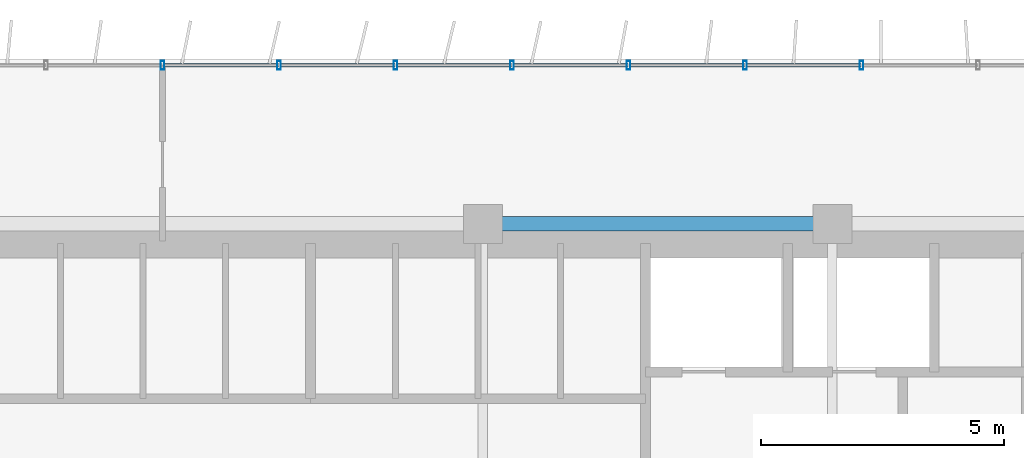
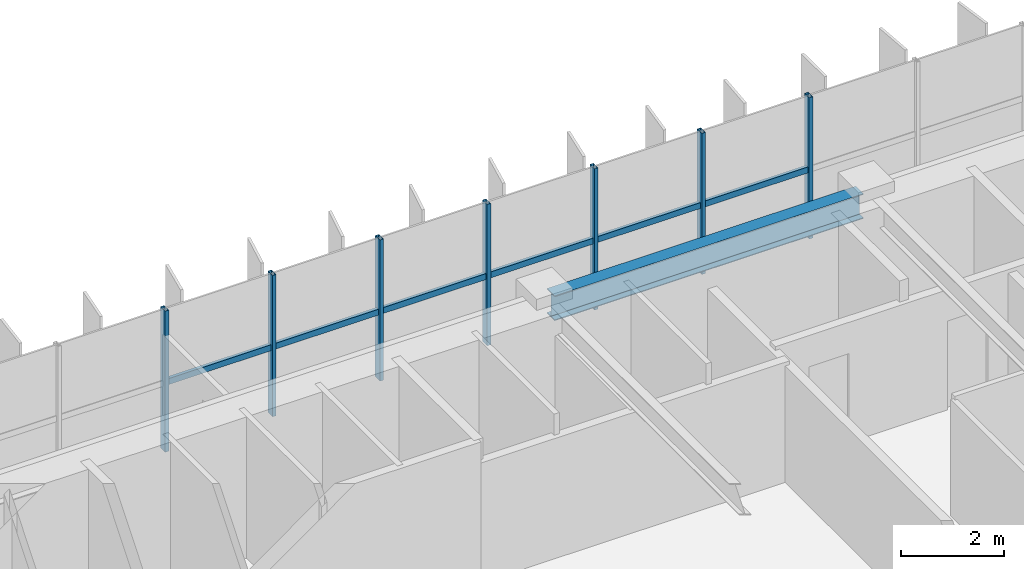
# One storey, part 9 of 22: 13 members, 1 beam, 1 element without a shape of its own.
"""IFC4 building model written with IfcOpenShell, lengths in metres."""

from ifc_helpers import new_model, si_unit, direction, frame, origin, origin_2d, place, context, subcontext, project, spatial, hollow_rectangle, i_section, extrude, source, transform, mapped, material, material_profile, profile_set, type_object, element, aggregate, save


model = new_model("IFC4")

# Units and contexts
model_context = context("Model", 3, precision=1e-05, world=origin(), true_north=direction((0.0, 1.0)))
body_context = subcontext(model_context, "Body", "Model", "MODEL_VIEW")
ifc_project = project(units=[si_unit("LENGTHUNIT", "METRE"), si_unit("AREAUNIT", "SQUARE_METRE"), si_unit("VOLUMEUNIT", "CUBIC_METRE"), si_unit("PLANEANGLEUNIT", "RADIAN"), si_unit("MASSUNIT", "GRAM", prefix="KILO")], contexts=[model_context])

# Site, building, storey
site_placement = place(None, origin())
site = spatial("IfcSite", under=ifc_project, at=site_placement, CompositionType="ELEMENT")
building_placement = place(site_placement, origin())
building = spatial("IfcBuilding", under=site, at=building_placement, Name="Trelvane Seafront Commons", CompositionType="ELEMENT")
storey_placement = place(building_placement, frame((0.0, 0.0, 92.5)))
storey = spatial("IfcBuildingStorey", under=building, at=storey_placement, Name="L23", CompositionType="ELEMENT", Elevation=92.5)

# Beam
ifc_material_1 = material(Name="Steel SM355 (S355)", Category="steel")
ifc_material_profile_1 = material_profile(ifc_material_1, i_section(OverallWidth=0.300048828125, OverallDepth=0.587890625, WebThickness=0.011962890625, FlangeThickness=0.02001953125, at=origin_2d()), Name="H-588x300x12x20")
ifc_profile_set_1 = profile_set([ifc_material_profile_1], Name="Steel SM355 (S355)")
beam_type = type_object("IfcBeamType", Name="STR-BM-H588", PredefinedType="BEAM", material=ifc_profile_set_1)
shared_shape_1 = source(origin(), body_context, "Body", "SweptSolid", [
    extrude(i_section(OverallWidth=0.300048828125, OverallDepth=0.587890625, WebThickness=0.011962890625, FlangeThickness=0.02001953125, at=origin_2d()), origin(), (0.0, 0.0, 1.0), 6.900146484375),
])
beam_placement = place(storey_placement, frame((43.949951171875, 45.10009765625, 3.0458984375), z_axis=(1.0, 0.0, 0.0), x_axis=(0.0, 1.0, 0.0)))
element("IfcBeam", 1, at=beam_placement, inside=storey, type_object=beam_type, Name="L23 Primary Girder G-33", PredefinedType="BEAM", context=body_context, shape_type="MappedRepresentation", body=[
    mapped(shared_shape_1, transform((0.0, 0.0, 0.0), x_axis=(1.0, 0.0, 0.0), y_axis=(0.0, 1.0, 0.0), z_axis=(0.0, 0.0, 1.0), scale=1.0)),
])

# Curtain wall, members
ifc_material_2 = material(Name="Anodised pale-silver aluminium", Category="aluminium")
curtain_wall_type = type_object("IfcCurtainWallType", Name="ARCH-CW4-SKYLOBBY", PredefinedType="NOTDEFINED", material=ifc_material_2)
curtain_wall_placement = place(storey_placement, origin())
curtain_wall = element("IfcCurtainWall", 2, at=curtain_wall_placement, inside=storey, type_object=curtain_wall_type, Name="CW-L23-0048", PredefinedType="NOTDEFINED")
ifc_material_profile_2 = material_profile(ifc_material_2, hollow_rectangle(XDim=0.074951171875, YDim=0.139892578125, WallThickness=0.00390625, at=origin_2d()), Name="TRAN-75x140x4")
ifc_profile_set_2 = profile_set([ifc_material_profile_2], Name="Anodised pale-silver aluminium")
member_type_1 = type_object("IfcMemberType", Name="ARCH-CW-TRAN-140", PredefinedType="USERDEFINED", material=ifc_profile_set_2)
shared_shape_2 = source(origin(), body_context, "Body", "SweptSolid", [
    extrude(hollow_rectangle(XDim=0.074951171875, YDim=0.139892578125, WallThickness=0.00390625, at=origin_2d()), origin(), (0.0, 0.0, 1.0), 2.3759765625),
])
member_1_placement = place(storey_placement, frame((37.2119140625, 48.3701171875, 1.60302734375), z_axis=(1.0, 0.0, 0.0), x_axis=(0.0, 1.0, 0.0)))
member_1 = element("IfcMember", 3, at=member_1_placement, type_object=member_type_1, Name="CW-L23-0048-T09", ObjectType="TRANSOM", PredefinedType="USERDEFINED", context=body_context, shape_type="MappedRepresentation", body=[
    mapped(shared_shape_2, transform((0.0, 0.0, 0.0), x_axis=(1.0, 0.0, 0.0), y_axis=(0.0, 1.0, 0.0), z_axis=(0.0, 0.0, 1.0), scale=1.0)),
])
member_2_placement = place(storey_placement, frame((39.612060546875, 48.3701171875, 1.60302734375), z_axis=(1.0, 0.0, 0.0), x_axis=(0.0, 1.0, 0.0)))
member_2 = element("IfcMember", 4, at=member_2_placement, type_object=member_type_1, Name="CW-L23-0048-T10", ObjectType="TRANSOM", PredefinedType="USERDEFINED", context=body_context, shape_type="MappedRepresentation", body=[
    mapped(shared_shape_2, transform((0.0, 0.0, 0.0), x_axis=(1.0, 0.0, 0.0), y_axis=(0.0, 1.0, 0.0), z_axis=(0.0, 0.0, 1.0), scale=1.0)),
])
member_3_placement = place(storey_placement, frame((42.011962890625, 48.3701171875, 1.60302734375), z_axis=(1.0, 0.0, 0.0), x_axis=(0.0, 1.0, 0.0)))
member_3 = element("IfcMember", 5, at=member_3_placement, type_object=member_type_1, Name="CW-L23-0048-T11", ObjectType="TRANSOM", PredefinedType="USERDEFINED", context=body_context, shape_type="MappedRepresentation", body=[
    mapped(shared_shape_2, transform((0.0, 0.0, 0.0), x_axis=(1.0, 0.0, 0.0), y_axis=(0.0, 1.0, 0.0), z_axis=(0.0, 0.0, 1.0), scale=1.0)),
])
member_4_placement = place(storey_placement, frame((44.412109375, 48.3701171875, 1.60302734375), z_axis=(1.0, 0.0, 0.0), x_axis=(0.0, 1.0, 0.0)))
member_4 = element("IfcMember", 6, at=member_4_placement, type_object=member_type_1, Name="CW-L23-0048-T12", ObjectType="TRANSOM", PredefinedType="USERDEFINED", context=body_context, shape_type="MappedRepresentation", body=[
    mapped(shared_shape_2, transform((0.0, 0.0, 0.0), x_axis=(1.0, 0.0, 0.0), y_axis=(0.0, 1.0, 0.0), z_axis=(0.0, 0.0, 1.0), scale=1.0)),
])
member_5_placement = place(storey_placement, frame((46.81201171875, 48.3701171875, 1.60302734375), z_axis=(1.0, 0.0, 0.0), x_axis=(0.0, 1.0, 0.0)))
member_5 = element("IfcMember", 7, at=member_5_placement, type_object=member_type_1, Name="CW-L23-0048-T13", ObjectType="TRANSOM", PredefinedType="USERDEFINED", context=body_context, shape_type="MappedRepresentation", body=[
    mapped(shared_shape_2, transform((0.0, 0.0, 0.0), x_axis=(1.0, 0.0, 0.0), y_axis=(0.0, 1.0, 0.0), z_axis=(0.0, 0.0, 1.0), scale=1.0)),
])
member_6_placement = place(storey_placement, frame((49.2119140625, 48.3701171875, 1.60302734375), z_axis=(1.0, 0.0, 0.0), x_axis=(0.0, 1.0, 0.0)))
member_6 = element("IfcMember", 8, at=member_6_placement, type_object=member_type_1, Name="CW-L23-0048-T14", ObjectType="TRANSOM", PredefinedType="USERDEFINED", context=body_context, shape_type="MappedRepresentation", body=[
    mapped(shared_shape_2, transform((0.0, 0.0, 0.0), x_axis=(1.0, 0.0, 0.0), y_axis=(0.0, 1.0, 0.0), z_axis=(0.0, 0.0, 1.0), scale=1.0)),
])
ifc_material_profile_3 = material_profile(ifc_material_2, hollow_rectangle(XDim=0.080078125, YDim=0.179931640625, WallThickness=0.00439453125, at=origin_2d()), Name="MULL-80x180x4.5")
ifc_profile_set_3 = profile_set([ifc_material_profile_3], Name="Anodised pale-silver aluminium")
member_type_2 = type_object("IfcMemberType", Name="ARCH-CW-MULL-180", PredefinedType="MULLION", material=ifc_profile_set_3)
shared_shape_3 = source(origin(), body_context, "Body", "SweptSolid", [
    extrude(hollow_rectangle(XDim=0.080078125, YDim=0.179931640625, WallThickness=0.00439453125, at=origin_2d()), origin(), (0.0, 0.0, 1.0), 3.340087890625),
])
member_7_placement = place(storey_placement, frame((37.199951171875, 48.3701171875, 0.0), z_axis=(0.0, 0.0, 1.0), x_axis=(1.0, 0.0, 0.0)))
member_7 = element("IfcMember", 9, at=member_7_placement, type_object=member_type_2, Name="CW-L23-0048-M09", PredefinedType="MULLION", context=body_context, shape_type="MappedRepresentation", body=[
    mapped(shared_shape_3, transform((0.0, 0.0, 0.0), x_axis=(1.0, 0.0, 0.0), y_axis=(0.0, 1.0, 0.0), z_axis=(0.0, 0.0, 1.0), scale=1.0)),
])
member_8_placement = place(storey_placement, frame((39.60009765625, 48.3701171875, 0.0), z_axis=(0.0, 0.0, 1.0), x_axis=(1.0, 0.0, 0.0)))
member_8 = element("IfcMember", 10, at=member_8_placement, type_object=member_type_2, Name="CW-L23-0048-M10", PredefinedType="MULLION", context=body_context, shape_type="MappedRepresentation", body=[
    mapped(shared_shape_3, transform((0.0, 0.0, 0.0), x_axis=(1.0, 0.0, 0.0), y_axis=(0.0, 1.0, 0.0), z_axis=(0.0, 0.0, 1.0), scale=1.0)),
])
member_9_placement = place(storey_placement, frame((42.0, 48.3701171875, 0.0), z_axis=(0.0, 0.0, 1.0), x_axis=(1.0, 0.0, 0.0)))
member_9 = element("IfcMember", 11, at=member_9_placement, type_object=member_type_2, Name="CW-L23-0048-M11", PredefinedType="MULLION", context=body_context, shape_type="MappedRepresentation", body=[
    mapped(shared_shape_3, transform((0.0, 0.0, 0.0), x_axis=(1.0, 0.0, 0.0), y_axis=(0.0, 1.0, 0.0), z_axis=(0.0, 0.0, 1.0), scale=1.0)),
])
member_10_placement = place(storey_placement, frame((44.39990234375, 48.3701171875, 0.0), z_axis=(0.0, 0.0, 1.0), x_axis=(1.0, 0.0, 0.0)))
member_10 = element("IfcMember", 12, at=member_10_placement, type_object=member_type_2, Name="CW-L23-0048-M12", PredefinedType="MULLION", context=body_context, shape_type="MappedRepresentation", body=[
    mapped(shared_shape_3, transform((0.0, 0.0, 0.0), x_axis=(1.0, 0.0, 0.0), y_axis=(0.0, 1.0, 0.0), z_axis=(0.0, 0.0, 1.0), scale=1.0)),
])
member_11_placement = place(storey_placement, frame((46.800048828125, 48.3701171875, 0.0), z_axis=(0.0, 0.0, 1.0), x_axis=(1.0, 0.0, 0.0)))
member_11 = element("IfcMember", 13, at=member_11_placement, type_object=member_type_2, Name="CW-L23-0048-M13", PredefinedType="MULLION", context=body_context, shape_type="MappedRepresentation", body=[
    mapped(shared_shape_3, transform((0.0, 0.0, 0.0), x_axis=(1.0, 0.0, 0.0), y_axis=(0.0, 1.0, 0.0), z_axis=(0.0, 0.0, 1.0), scale=1.0)),
])
member_12_placement = place(storey_placement, frame((49.199951171875, 48.3701171875, 0.0), z_axis=(0.0, 0.0, 1.0), x_axis=(1.0, 0.0, 0.0)))
member_12 = element("IfcMember", 14, at=member_12_placement, type_object=member_type_2, Name="CW-L23-0048-M14", PredefinedType="MULLION", context=body_context, shape_type="MappedRepresentation", body=[
    mapped(shared_shape_3, transform((0.0, 0.0, 0.0), x_axis=(1.0, 0.0, 0.0), y_axis=(0.0, 1.0, 0.0), z_axis=(0.0, 0.0, 1.0), scale=1.0)),
])
member_13_placement = place(storey_placement, frame((51.60009765625, 48.3701171875, 0.0), z_axis=(0.0, 0.0, 1.0), x_axis=(1.0, 0.0, 0.0)))
member_13 = element("IfcMember", 15, at=member_13_placement, type_object=member_type_2, Name="CW-L23-0048-M15", PredefinedType="MULLION", context=body_context, shape_type="MappedRepresentation", body=[
    mapped(shared_shape_3, transform((0.0, 0.0, 0.0), x_axis=(1.0, 0.0, 0.0), y_axis=(0.0, 1.0, 0.0), z_axis=(0.0, 0.0, 1.0), scale=1.0)),
])
aggregate(curtain_wall, [member_7, member_8, member_9, member_10, member_11, member_12, member_13, member_1, member_2, member_3, member_4, member_5, member_6])

save(model, "model.ifc")
